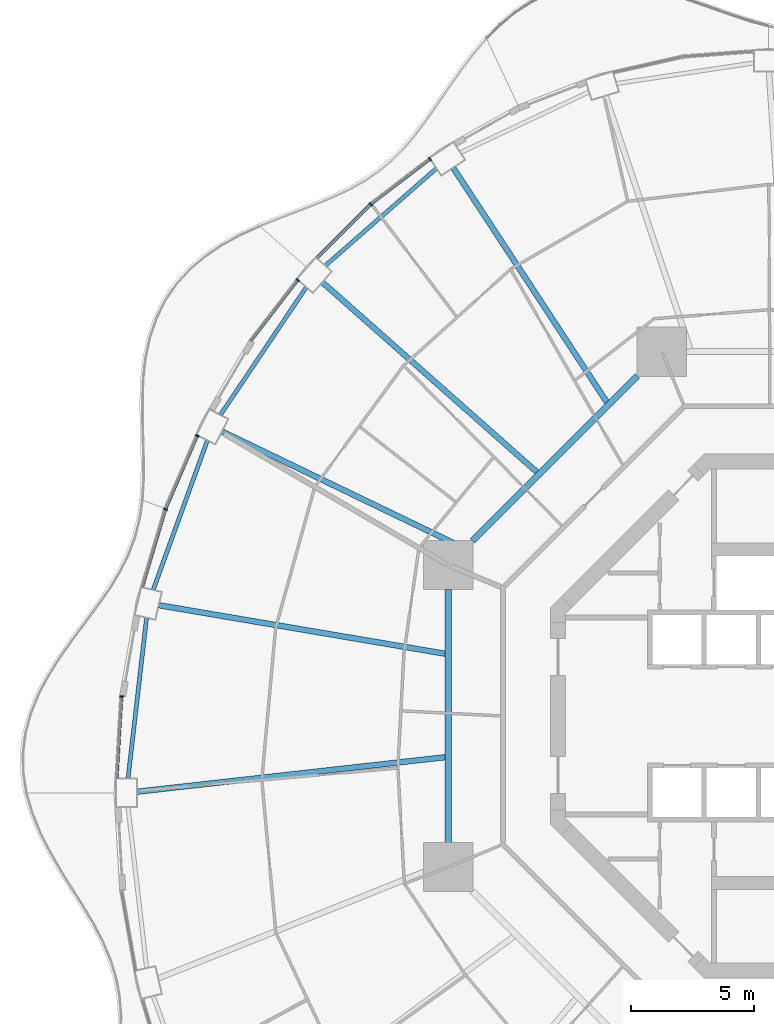
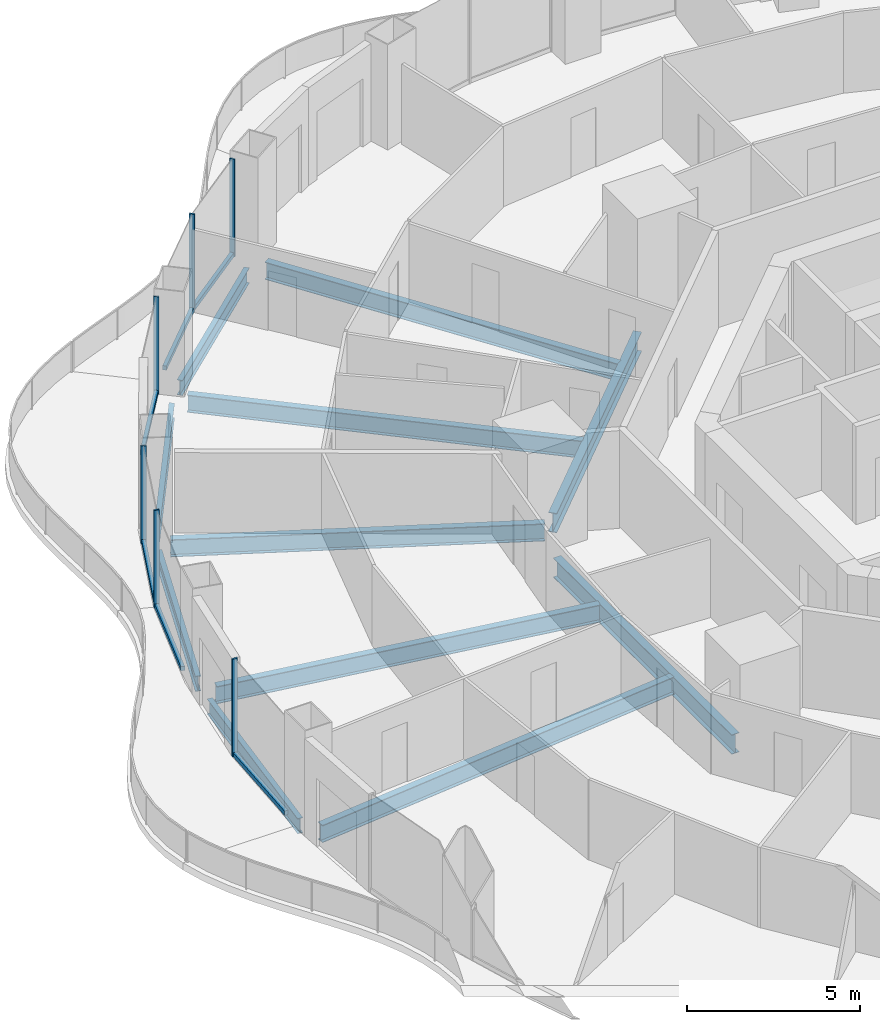
# One storey, part 6 of 19: 12 members, 11 beams, 6 elements without a shape of their own.
"""IFC4 building model written with IfcOpenShell, lengths in metres."""

from ifc_helpers import new_model, si_unit, direction, frame, origin, origin_2d, place, context, subcontext, project, spatial, rectangle, i_section, extrude, material, layer, layer_set, material_profile, profile_set, type_object, element, aggregate, save


model = new_model("IFC4")

# Units and contexts
model_context = context("Model", 3, precision=1e-05, world=origin(), true_north=direction((0.0, 1.0)))
body_context = subcontext(model_context, "Body", "Model", "MODEL_VIEW")
ifc_project = project(units=[si_unit("LENGTHUNIT", "METRE"), si_unit("AREAUNIT", "SQUARE_METRE"), si_unit("VOLUMEUNIT", "CUBIC_METRE"), si_unit("PLANEANGLEUNIT", "RADIAN"), si_unit("MASSUNIT", "GRAM", prefix="KILO")], contexts=[model_context])

# Site, building, storey
site_placement = place(None, origin())
site = spatial("IfcSite", under=ifc_project, at=site_placement, CompositionType="ELEMENT")
building_placement = place(site_placement, origin())
building = spatial("IfcBuilding", under=site, at=building_placement, Name="Nagisa Residences", CompositionType="ELEMENT")
storey_placement = place(building_placement, frame((0.0, 0.0, 127.0)))
storey = spatial("IfcBuildingStorey", under=building, at=storey_placement, Name="L31", CompositionType="ELEMENT", Elevation=127.0)

# Curtain wall, member
ifc_material_1 = material(Name="Concrete-coloured aluminium curtain wall system", Category="concrete")
ifc_layer = layer(ifc_material_1, 0.159912109375)
ifc_layer_set = layer_set([ifc_layer], Name="CW1 CURTAIN WALL")
curtain_wall_type = type_object("IfcCurtainWallType", Name="CW1 CURTAIN WALL", PredefinedType="NOTDEFINED", material=ifc_layer_set)
curtain_wall_1_placement = place(storey_placement, origin())
curtain_wall_1 = element("IfcCurtainWall", 1, at=curtain_wall_1_placement, inside=storey, type_object=curtain_wall_type, Name="cw:CW1:L31:16", PredefinedType="NOTDEFINED")
ifc_material_2 = material(Name="Concrete-coloured aluminium", Category="concrete")
ifc_material_profile_1 = material_profile(ifc_material_2, rectangle(XDim=0.159912109375, YDim=0.06005859375, at=origin_2d()), Name="CW1 MULLION 160x60")
ifc_profile_set_1 = profile_set([ifc_material_profile_1], Name="Concrete-coloured aluminium")
member_type_1 = type_object("IfcMemberType", Name="CW1 MULLION 160x60", PredefinedType="MULLION", material=ifc_profile_set_1)
member_1_placement = place(storey_placement, frame((-15.5205078125, 22.5869140625, 0.0), z_axis=(0.0, 0.0, 1.0), x_axis=(0.605255421737, -0.79603132756, 0.0)))
member_1 = element("IfcMember", 2, at=member_1_placement, type_object=member_type_1, Name="CW1 mullion", PredefinedType="MULLION", context=body_context, shape_type="SweptSolid", body=[
    extrude(rectangle(XDim=0.159912109375, YDim=0.06005859375, at=origin_2d()), origin(), (0.0, 0.0, 1.0), 3.43994140625),
])

curtain_wall_2_placement = place(storey_placement, origin())
curtain_wall_2 = element("IfcCurtainWall", 3, at=curtain_wall_2_placement, inside=storey, type_object=curtain_wall_type, Name="cw:CW1:L31:17", PredefinedType="NOTDEFINED")
member_2_placement = place(storey_placement, frame((-17.918212890625, 20.759765625, 0.0), z_axis=(0.0, 0.0, 1.0), x_axis=(0.706376885714, -0.707835924016, 0.0)))
member_2 = element("IfcMember", 4, at=member_2_placement, type_object=member_type_1, Name="CW1 mullion", PredefinedType="MULLION", context=body_context, shape_type="SweptSolid", body=[
    extrude(rectangle(XDim=0.159912109375, YDim=0.06005859375, at=origin_2d()), origin(), (0.0, 0.0, 1.0), 3.43994140625),
])

curtain_wall_3_placement = place(storey_placement, origin())
curtain_wall_3 = element("IfcCurtainWall", 5, at=curtain_wall_3_placement, inside=storey, type_object=curtain_wall_type, Name="cw:CW1:L31:18", PredefinedType="NOTDEFINED")
member_3_placement = place(storey_placement, frame((-20.88427734375, 17.685546875, 0.0), z_axis=(0.0, 0.0, 1.0), x_axis=(0.792070340816, -0.610429828235, 0.0)))
member_3 = element("IfcMember", 6, at=member_3_placement, type_object=member_type_1, Name="CW1 mullion", PredefinedType="MULLION", context=body_context, shape_type="SweptSolid", body=[
    extrude(rectangle(XDim=0.159912109375, YDim=0.06005859375, at=origin_2d()), origin(), (0.0, 0.0, 1.0), 3.43994140625),
])

curtain_wall_4_placement = place(storey_placement, origin())
curtain_wall_4 = element("IfcCurtainWall", 7, at=curtain_wall_4_placement, inside=storey, type_object=curtain_wall_type, Name="cw:CW1:L31:20", PredefinedType="NOTDEFINED")
member_4_placement = place(storey_placement, frame((-24.95703125, 11.369873046875, 0.0), z_axis=(0.0, 0.0, 1.0), x_axis=(0.917543276295, -0.397635934147, 0.0)))
member_4 = element("IfcMember", 8, at=member_4_placement, type_object=member_type_1, Name="CW1 mullion", PredefinedType="MULLION", context=body_context, shape_type="SweptSolid", body=[
    extrude(rectangle(XDim=0.159912109375, YDim=0.06005859375, at=origin_2d()), origin(), (0.0, 0.0, 1.0), 3.43994140625),
])

curtain_wall_5_placement = place(storey_placement, origin())
curtain_wall_5 = element("IfcCurtainWall", 9, at=curtain_wall_5_placement, inside=storey, type_object=curtain_wall_type, Name="cw:CW1:L31:21", PredefinedType="NOTDEFINED")
member_5_placement = place(storey_placement, frame((-26.2470703125, 8.3857421875, 0.0), z_axis=(0.0, 0.0, 1.0), x_axis=(0.958271310082, -0.285860274038, 0.0)))
member_5 = element("IfcMember", 10, at=member_5_placement, type_object=member_type_1, Name="CW1 mullion", PredefinedType="MULLION", context=body_context, shape_type="SweptSolid", body=[
    extrude(rectangle(XDim=0.159912109375, YDim=0.06005859375, at=origin_2d()), origin(), (0.0, 0.0, 1.0), 3.43994140625),
])

curtain_wall_6_placement = place(storey_placement, origin())
curtain_wall_6 = element("IfcCurtainWall", 11, at=curtain_wall_6_placement, inside=storey, type_object=curtain_wall_type, Name="cw:CW1:L31:23", PredefinedType="NOTDEFINED")
member_6_placement = place(storey_placement, frame((-28.02978515625, 0.7890625, 0.0), z_axis=(0.0, 0.0, 1.0), x_axis=(0.998345305184, -0.057503492216, 0.0)))
member_6 = element("IfcMember", 12, at=member_6_placement, type_object=member_type_1, Name="CW1 mullion", PredefinedType="MULLION", context=body_context, shape_type="SweptSolid", body=[
    extrude(rectangle(XDim=0.159912109375, YDim=0.06005859375, at=origin_2d()), origin(), (0.0, 0.0, 1.0), 3.43994140625),
])

# Member
ifc_material_3 = material(Name="Concrete-coloured aluminium", Category="concrete")
ifc_material_profile_2 = material_profile(ifc_material_3, rectangle(XDim=0.1201171875, YDim=0.14990234375, at=origin_2d()), Name="CW1 TRANSOM 120x150")
ifc_profile_set_2 = profile_set([ifc_material_profile_2], Name="Concrete-coloured aluminium")
member_type_2 = type_object("IfcMemberType", Name="CW1 TRANSOM 120x150", PredefinedType="USERDEFINED", material=ifc_profile_set_2)
member_7_placement = place(storey_placement, frame((-15.49658203125, 22.605224609375, 0.074951171875), z_axis=(-0.796022231079, -0.605267385233, 0.0), x_axis=(0.605267385233, -0.796022231079, 0.0)))
member_7 = element("IfcMember", 13, at=member_7_placement, type_object=member_type_2, Name="CW1 transom", ObjectType="TRANSOM", PredefinedType="USERDEFINED", context=body_context, shape_type="SweptSolid", body=[
    extrude(rectangle(XDim=0.1201171875, YDim=0.14990234375, at=origin_2d()), origin(), (0.0, 0.0, 1.0), 3.025634765625),
])

aggregate(curtain_wall_1, [member_1, member_7])

member_8_placement = place(storey_placement, frame((-17.89697265625, 20.781005859375, 0.074951171875), z_axis=(-0.707818274975, -0.706394570768, 0.0), x_axis=(0.706394570768, -0.707818274975, 0.0)))
member_8 = element("IfcMember", 14, at=member_8_placement, type_object=member_type_2, Name="CW1 transom", ObjectType="TRANSOM", PredefinedType="USERDEFINED", context=body_context, shape_type="SweptSolid", body=[
    extrude(rectangle(XDim=0.1201171875, YDim=0.14990234375, at=origin_2d()), origin(), (0.0, 0.0, 1.0), 3.086669921875),
])

aggregate(curtain_wall_2, [member_2, member_8])

member_9_placement = place(storey_placement, frame((-20.865966796875, 17.709228515625, 0.074951171875), z_axis=(-0.610467332273, -0.792041435928, 0.0), x_axis=(0.792041435928, -0.610467332273, 0.0)))
member_9 = element("IfcMember", 15, at=member_9_placement, type_object=member_type_2, Name="CW1 transom", ObjectType="TRANSOM", PredefinedType="USERDEFINED", context=body_context, shape_type="SweptSolid", body=[
    extrude(rectangle(XDim=0.1201171875, YDim=0.14990234375, at=origin_2d()), origin(), (0.0, 0.0, 1.0), 3.14892578125),
])

aggregate(curtain_wall_3, [member_3, member_9])

member_10_placement = place(storey_placement, frame((-24.945068359375, 11.3974609375, 0.074951171875), z_axis=(-0.397638954585, -0.917541967321, 0.0), x_axis=(0.917541967321, -0.397638954585, 0.0)))
member_10 = element("IfcMember", 16, at=member_10_placement, type_object=member_type_2, Name="CW1 transom", ObjectType="TRANSOM", PredefinedType="USERDEFINED", context=body_context, shape_type="SweptSolid", body=[
    extrude(rectangle(XDim=0.1201171875, YDim=0.14990234375, at=origin_2d()), origin(), (0.0, 0.0, 1.0), 3.2607421875),
])

aggregate(curtain_wall_4, [member_4, member_10])

member_11_placement = place(storey_placement, frame((-26.238525390625, 8.41455078125, 0.074951171875), z_axis=(-0.285842038783, -0.958276749621, 0.0), x_axis=(0.958276749621, -0.285842038783, 0.0)))
member_11 = element("IfcMember", 17, at=member_11_placement, type_object=member_type_2, Name="CW1 transom", ObjectType="TRANSOM", PredefinedType="USERDEFINED", context=body_context, shape_type="SweptSolid", body=[
    extrude(rectangle(XDim=0.1201171875, YDim=0.14990234375, at=origin_2d()), origin(), (0.0, 0.0, 1.0), 3.302734375),
])

aggregate(curtain_wall_5, [member_5, member_11])

member_12_placement = place(storey_placement, frame((-28.028076171875, 0.81884765625, 0.074951171875), z_axis=(-0.057542018726, -0.998343085357, 0.0), x_axis=(0.998343085357, -0.057542018726, 0.0)))
member_12 = element("IfcMember", 18, at=member_12_placement, type_object=member_type_2, Name="CW1 transom", ObjectType="TRANSOM", PredefinedType="USERDEFINED", context=body_context, shape_type="SweptSolid", body=[
    extrude(rectangle(XDim=0.1201171875, YDim=0.14990234375, at=origin_2d()), origin(), (0.0, 0.0, 1.0), 3.34765625),
])

aggregate(curtain_wall_6, [member_6, member_12])

# Beams
ifc_material_4 = material(Name="Steel ASTM A572 Gr 50", Category="steel")
ifc_material_profile_3 = material_profile(ifc_material_4, i_section(OverallWidth=0.25390625, OverallDepth=0.68408203125, WebThickness=0.012451171875, FlangeThickness=0.018798828125, at=origin_2d()), Name="W690x140")
ifc_profile_set_3 = profile_set([ifc_material_profile_3], Name="Steel ASTM A572 Gr 50")
beam_type_1 = type_object("IfcBeamType", Name="Inner ring beam W690x140", PredefinedType="BEAM", material=ifc_profile_set_3)
beam_1_placement = place(storey_placement, frame((-7.10888671875, 13.796142578125, -0.60205078125), z_axis=(-0.707106781187, -0.707106781187, 0.0), x_axis=(0.707106781187, -0.707106781187, 0.0)))
element("IfcBeam", 19, at=beam_1_placement, inside=storey, type_object=beam_type_1, Name="beam:L31:ib3", PredefinedType="BEAM", context=body_context, shape_type="SweptSolid", body=[
    extrude(i_section(OverallWidth=0.25390625, OverallDepth=0.68408203125, WebThickness=0.012451171875, FlangeThickness=0.018798828125, at=origin_2d()), origin(), (0.0, 0.0, 1.0), 9.457275390625),
])
beam_2_placement = place(storey_placement, frame((-14.781982421875, 5.142822265625, -0.60205078125), z_axis=(0.0, -1.0, 0.0), x_axis=(1.0, 0.0, 0.0)))
element("IfcBeam", 20, at=beam_2_placement, inside=storey, type_object=beam_type_1, Name="beam:L31:ib4", PredefinedType="BEAM", context=body_context, shape_type="SweptSolid", body=[
    extrude(i_section(OverallWidth=0.25390625, OverallDepth=0.68408203125, WebThickness=0.012451171875, FlangeThickness=0.018798828125, at=origin_2d()), origin(), (0.0, 0.0, 1.0), 10.28564453125),
])
ifc_material_5 = material(Name="Steel ASTM A572 Gr 50", Category="steel")
ifc_material_profile_4 = material_profile(ifc_material_5, i_section(OverallWidth=0.166015625, OverallDepth=0.534912109375, WebThickness=0.01025390625, FlangeThickness=0.0166015625, at=origin_2d()), Name="W530x85")
ifc_profile_set_4 = profile_set([ifc_material_profile_4], Name="Steel ASTM A572 Gr 50")
beam_type_2 = type_object("IfcBeamType", Name="Perimeter ring beam W530x85", PredefinedType="BEAM", material=ifc_profile_set_4)
beam_3_placement = place(storey_placement, frame((-15.25830078125, 22.213134765625, -0.527587890625), z_axis=(-0.752503526528, -0.658588219272, 0.0), x_axis=(0.658588219272, -0.752503526528, 0.0)))
element("IfcBeam", 21, at=beam_3_placement, inside=storey, type_object=beam_type_2, Name="beam:L31:pb09", PredefinedType="BEAM", context=body_context, shape_type="SweptSolid", body=[
    extrude(i_section(OverallWidth=0.166015625, OverallDepth=0.534912109375, WebThickness=0.01025390625, FlangeThickness=0.0166015625, at=origin_2d()), origin(), (0.0, 0.0, 1.0), 5.99462890625),
])
beam_4_placement = place(storey_placement, frame((-20.5361328125, 17.39453125, -0.527587890625), z_axis=(-0.558187951157, -0.82971453596, 0.0), x_axis=(0.82971453596, -0.558187951157, 0.0)))
element("IfcBeam", 22, at=beam_4_placement, inside=storey, type_object=beam_type_2, Name="beam:L31:pb10", PredefinedType="BEAM", context=body_context, shape_type="SweptSolid", body=[
    extrude(i_section(OverallWidth=0.166015625, OverallDepth=0.534912109375, WebThickness=0.01025390625, FlangeThickness=0.0166015625, at=origin_2d()), origin(), (0.0, 0.0, 1.0), 6.24267578125),
])
beam_5_placement = place(storey_placement, frame((-24.54638671875, 11.180419921875, -0.527587890625), z_axis=(-0.341366238276, -0.939930365168, 0.0), x_axis=(0.939930365168, -0.341366238276, 0.0)))
element("IfcBeam", 23, at=beam_5_placement, inside=storey, type_object=beam_type_2, Name="beam:L31:pb11", PredefinedType="BEAM", context=body_context, shape_type="SweptSolid", body=[
    extrude(i_section(OverallWidth=0.166015625, OverallDepth=0.534912109375, WebThickness=0.01025390625, FlangeThickness=0.0166015625, at=origin_2d()), origin(), (0.0, 0.0, 1.0), 6.450927734375),
])
beam_6_placement = place(storey_placement, frame((-27.014892578125, 3.98779296875, -0.527587890625), z_axis=(-0.114660786771, -0.993404703017, 0.0), x_axis=(0.993404703017, -0.114660786771, 0.0)))
element("IfcBeam", 24, at=beam_6_placement, inside=storey, type_object=beam_type_2, Name="beam:L31:pb12", PredefinedType="BEAM", context=body_context, shape_type="SweptSolid", body=[
    extrude(i_section(OverallWidth=0.166015625, OverallDepth=0.534912109375, WebThickness=0.01025390625, FlangeThickness=0.0166015625, at=origin_2d()), origin(), (0.0, 0.0, 1.0), 6.568603515625),
])
ifc_material_6 = material(Name="Steel ASTM A572 Gr 50", Category="steel")
ifc_material_profile_5 = material_profile(ifc_material_6, i_section(OverallWidth=0.22900390625, OverallDepth=0.612060546875, WebThickness=0.011962890625, FlangeThickness=0.01953125, at=origin_2d()), Name="W610x125")
ifc_profile_set_5 = profile_set([ifc_material_profile_5], Name="Steel ASTM A572 Gr 50")
beam_type_3 = type_object("IfcBeamType", Name="Radial beam W610x125", PredefinedType="BEAM", material=ifc_profile_set_5)
beam_7_placement = place(storey_placement, frame((-14.581787109375, 22.2392578125, -0.56591796875), z_axis=(0.548325250323, -0.836265161212, 0.0), x_axis=(0.836265161212, 0.548325250323, 0.0)))
element("IfcBeam", 25, at=beam_7_placement, inside=storey, type_object=beam_type_3, Name="beam:L31:rb09", PredefinedType="BEAM", context=body_context, shape_type="SweptSolid", body=[
    extrude(i_section(OverallWidth=0.22900390625, OverallDepth=0.612060546875, WebThickness=0.011962890625, FlangeThickness=0.01953125, at=origin_2d()), origin(), (0.0, 0.0, 1.0), 11.385498046875),
])
beam_8_placement = place(storey_placement, frame((-19.887451171875, 17.594970703125, -0.56591796875), z_axis=(0.7489549138, -0.662620960349, 0.0), x_axis=(0.662620960349, 0.7489549138, 0.0)))
element("IfcBeam", 26, at=beam_8_placement, inside=storey, type_object=beam_type_3, Name="beam:L31:rb10", PredefinedType="BEAM", context=body_context, shape_type="SweptSolid", body=[
    extrude(i_section(OverallWidth=0.22900390625, OverallDepth=0.612060546875, WebThickness=0.011962890625, FlangeThickness=0.01953125, at=origin_2d()), origin(), (0.0, 0.0, 1.0), 11.63671875),
])
beam_9_placement = place(storey_placement, frame((-23.95947265625, 11.543212890625, -0.56591796875), z_axis=(0.900896469051, -0.434034044808, 0.0), x_axis=(0.434034044808, 0.900896469051, 0.0)))
element("IfcBeam", 27, at=beam_9_placement, inside=storey, type_object=beam_type_3, Name="beam:L31:rb11", PredefinedType="BEAM", context=body_context, shape_type="SweptSolid", body=[
    extrude(i_section(OverallWidth=0.22900390625, OverallDepth=0.612060546875, WebThickness=0.011962890625, FlangeThickness=0.01953125, at=origin_2d()), origin(), (0.0, 0.0, 1.0), 10.820556640625),
])
beam_10_placement = place(storey_placement, frame((-26.52294921875, 4.495849609375, -0.56591796875), z_axis=(0.985936650852, -0.167119479737, 0.0), x_axis=(0.167119479737, 0.985936650852, 0.0)))
element("IfcBeam", 28, at=beam_10_placement, inside=storey, type_object=beam_type_3, Name="beam:L31:rb12", PredefinedType="BEAM", context=body_context, shape_type="SweptSolid", body=[
    extrude(i_section(OverallWidth=0.22900390625, OverallDepth=0.612060546875, WebThickness=0.011962890625, FlangeThickness=0.01953125, at=origin_2d()), origin(), (0.0, 0.0, 1.0), 11.799560546875),
])
beam_11_placement = place(storey_placement, frame((-27.40478515625, -3.069580078125, -0.56591796875), z_axis=(0.993785470482, 0.111312347291, 0.0), x_axis=(-0.111312347291, 0.993785470482, 0.0)))
element("IfcBeam", 29, at=beam_11_placement, inside=storey, type_object=beam_type_3, Name="beam:L31:rb13", PredefinedType="BEAM", context=body_context, shape_type="SweptSolid", body=[
    extrude(i_section(OverallWidth=0.22900390625, OverallDepth=0.612060546875, WebThickness=0.011962890625, FlangeThickness=0.01953125, at=origin_2d()), origin(), (0.0, 0.0, 1.0), 12.593994140625),
])

save(model, "model.ifc")
